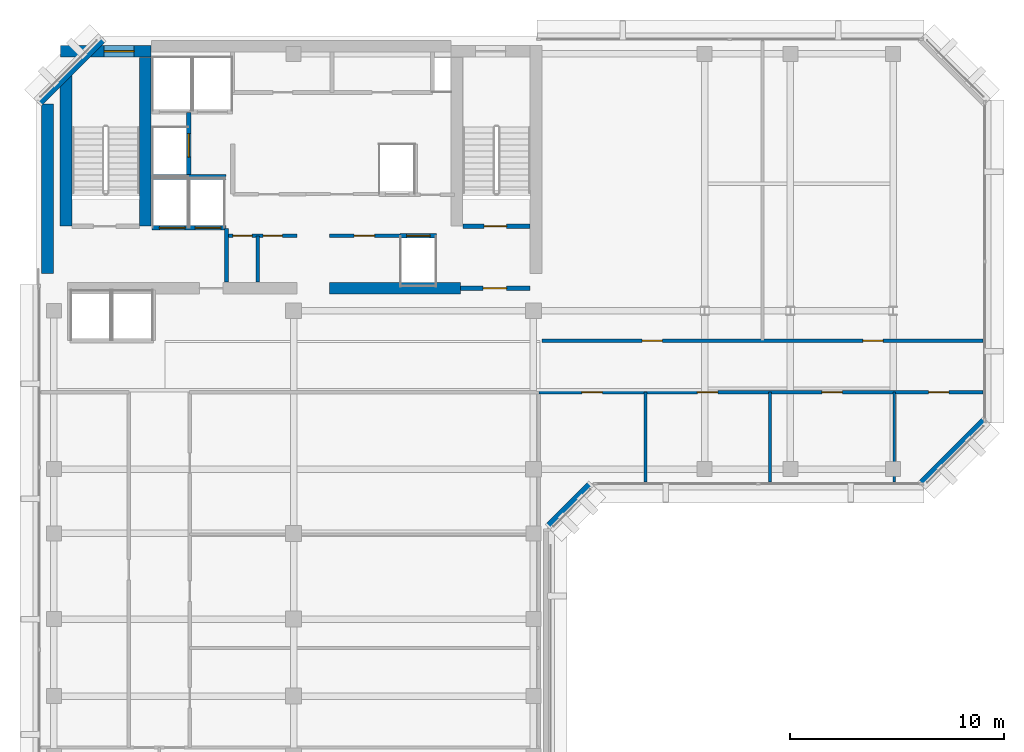
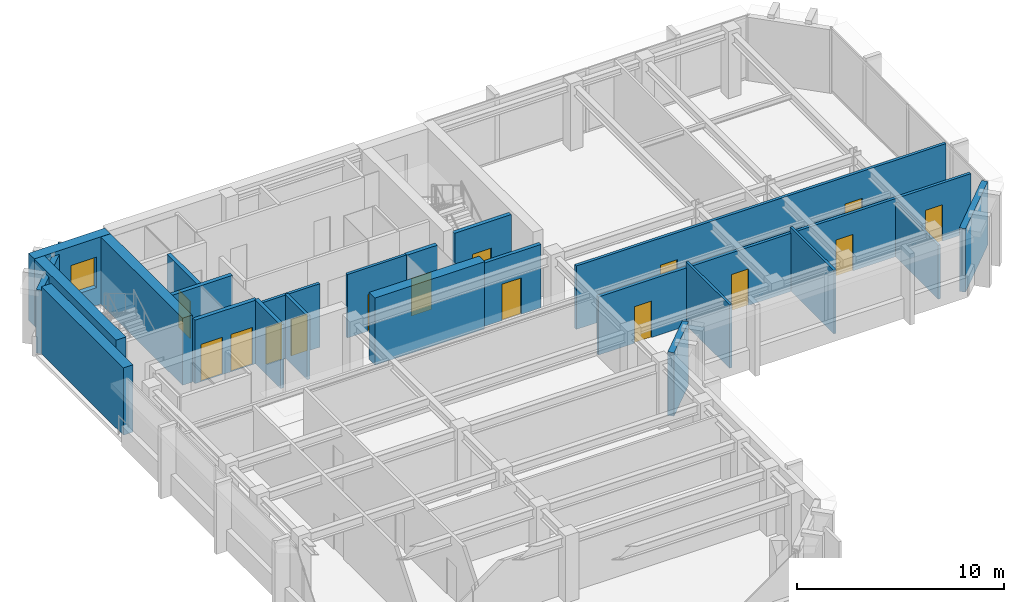
# One storey, part 7 of 11: 23 walls, 15 doors, 1 window, 16 openings.
"""IFC4 building model written with IfcOpenShell, lengths in metres."""

from ifc_helpers import new_model, si_unit, direction, frame, frame_2d, origin, place, context, subcontext, project, spatial, rectangle, extrude, material, layer, layer_set, type_object, element, fill, save


model = new_model("IFC4")

# Units and contexts
model_context = context("Model", 3, precision=1e-05, world=origin(), true_north=direction((0.0, 1.0)))
body_context = subcontext(model_context, "Body", "Model", "MODEL_VIEW")
ifc_project = project(units=[si_unit("LENGTHUNIT", "METRE"), si_unit("AREAUNIT", "SQUARE_METRE"), si_unit("VOLUMEUNIT", "CUBIC_METRE"), si_unit("PLANEANGLEUNIT", "RADIAN"), si_unit("MASSUNIT", "GRAM", prefix="KILO")], contexts=[model_context])

# Site, building, storey
site_placement = place(None, origin())
site = spatial("IfcSite", under=ifc_project, at=site_placement, CompositionType="ELEMENT")
building_placement = place(site_placement, origin())
building = spatial("IfcBuilding", under=site, at=building_placement, Name="Kefirva Bronze Tower", CompositionType="ELEMENT")
storey_placement = place(building_placement, frame((0.0, 0.0, 284.1298828125)))
storey = spatial("IfcBuildingStorey", under=building, at=storey_placement, Name="L69", CompositionType="ELEMENT", Elevation=284.1298828125)

# Walls
ifc_material_1 = material(Name="Gypsum acoustic partition")
ifc_layer_1 = layer(ifc_material_1, 0.1298828125, Name="Gypsum acoustic partition")
ifc_layer_set_1 = layer_set([ifc_layer_1], Name="Gypsum acoustic partition")
wall_type_1 = type_object("IfcWallType", Name="Acoustic Office Partition 130mm", PredefinedType="PARTITIONING", material=ifc_layer_set_1)
for number, where, z_axis, x_axis, name in (
    (1, (28.432373046875, 25.18994140625, 0.0), (0.0, 0.0, 1.0), (0.0, 1.0, 0.0), "L69 Partition W-L69-ESD1"),
    (2, (34.2451171875, 25.18994140625, 0.0), (0.0, 0.0, 1.0), (0.0, 1.0, 0.0), "L69 Partition W-L69-ESD2"),
):
    element("IfcWall", number, at=place(storey_placement, frame(where, z_axis=z_axis, x_axis=x_axis)), inside=storey, type_object=wall_type_1, Name=name, PredefinedType="PARTITIONING", context=body_context, shape_type="SweptSolid", body=[
        extrude(rectangle(XDim=4.2099609375, YDim=0.1298828125, at=frame_2d((2.10498046875, 0.0))), origin(), (0.0, 0.0, 1.0), 3.740234375),
    ])
wall_1_placement = place(storey_placement, frame((40.05810546875, 25.18994140625, 0.0), z_axis=(0.0, 0.0, 1.0), x_axis=(0.0, 1.0, 0.0)))
element("IfcWall", 3, at=wall_1_placement, inside=storey, type_object=wall_type_1, Name="L69 Partition W-L69-ESD3", PredefinedType="PARTITIONING", context=body_context, shape_type="SweptSolid", body=[
    extrude(rectangle(XDim=4.2099609375, YDim=0.1298828125, at=frame_2d((2.10498046875, 0.0))), origin(), (0.0, 0.0, 1.0), 3.175048828125),
])

# Wall, opening, door
ifc_layer_2 = layer(ifc_material_1, 0.14990234375, Name="Gypsum acoustic partition")
ifc_layer_set_2 = layer_set([ifc_layer_2], Name="Gypsum acoustic partition")
wall_type_2 = type_object("IfcWallType", Name="Executive Suite Partition 150mm", PredefinedType="PARTITIONING", material=ifc_layer_set_2)
wall_2_placement = place(storey_placement, frame((13.679931640625, 36.699951171875, 0.0), z_axis=(0.0, 0.0, 1.0), x_axis=(1.0, 0.0, 0.0)))
wall_2 = element("IfcWall", 4, at=wall_2_placement, inside=storey, type_object=wall_type_2, Name="L69 Partition W-L69-RECMP1", PredefinedType="PARTITIONING", context=body_context, shape_type="SweptSolid", body=[
    extrude(rectangle(XDim=3.280029296875, YDim=0.14990234375, at=frame_2d((1.64013671875, 0.0))), origin(), (0.0, 0.0, 1.0), 3.740234375),
])
opening_1_placement = place(wall_2_placement, frame((1.14990234375, 0.0, 0.0)))
opening_1 = element("IfcOpeningElement", 5, at=opening_1_placement, cuts=wall_2, Name="Opening L69-D-RECMP1", PredefinedType="OPENING", context=body_context, shape_type="SweptSolid", body=[
    extrude(rectangle(XDim=0.949951171875, YDim=2.14990234375, at=frame_2d((0.47509765625, 1.074951171875))), frame((0.0, 0.0849609375, 0.0), z_axis=(0.0, -1.0, 0.0), x_axis=(1.0, 0.0, 0.0)), (0.0, 0.0, 1.0), 0.169921875),
])
ifc_material_2 = material(Name="Acoustic hardwood oak", Category="wood")
door_type_1 = type_object("IfcDoorType", Name="Office & Meeting Room Door 950x2150", OperationType="NOTDEFINED", PredefinedType="DOOR", material=ifc_material_2)
door_1_placement = place(opening_1_placement, origin())
door_1 = element("IfcDoor", 6, at=door_1_placement, inside=storey, type_object=door_type_1, Name="Door L69-D-RECMP1", OperationType="SINGLE_SWING_LEFT", OverallHeight=2.14990234375, OverallWidth=0.949951171875, PredefinedType="DOOR", context=body_context, shape_type="SweptSolid", body=[
    extrude(rectangle(XDim=0.949951171875, YDim=2.14990234375, at=frame_2d((0.47509765625, 1.074951171875))), frame((0.0, 0.02490234375, 0.0), z_axis=(0.0, -1.0, 0.0), x_axis=(1.0, 0.0, 0.0)), (0.0, 0.0, 1.0), 0.050048828125),
])
fill(opening_1, door_1)

ifc_material_3 = material(Name="Gypsum fireboard shaftwall")
ifc_layer_3 = layer(ifc_material_3, 0.219970703125, Name="Gypsum fireboard shaftwall")
ifc_layer_set_3 = layer_set([ifc_layer_3], Name="Gypsum fireboard shaftwall")
wall_type_3 = type_object("IfcWallType", Name="Fire-Rated Shaft Enclosure Wall 220mm", PredefinedType="PARTITIONING", material=ifc_layer_set_3)
wall_3_placement = place(storey_placement, frame((19.89990234375, 37.14990234375, 0.0), z_axis=(0.0, 0.0, 1.0), x_axis=(1.0, 0.0, 0.0)))
wall_3 = element("IfcWall", 7, at=wall_3_placement, inside=storey, type_object=wall_type_3, Name="L69 Partition W-L69-ST2S", PredefinedType="PARTITIONING", context=body_context, shape_type="SweptSolid", body=[
    extrude(rectangle(XDim=3.150146484375, YDim=0.219970703125, at=frame_2d((1.5751953125, 0.0))), origin(), (0.0, 0.0, 1.0), 3.740234375),
])
opening_2_placement = place(wall_3_placement, frame((2.050048828125, 0.0, 0.0), z_axis=(0.0, 0.0, 1.0), x_axis=(-1.0, 0.0, 0.0)))
opening_2 = element("IfcOpeningElement", 8, at=opening_2_placement, cuts=wall_3, Name="Opening L69-D003", PredefinedType="OPENING", context=body_context, shape_type="SweptSolid", body=[
    extrude(rectangle(XDim=1.050048828125, YDim=2.14990234375, at=frame_2d((0.52490234375, 1.074951171875))), frame((0.0, 0.1201171875, 0.0), z_axis=(0.0, -1.0, 0.0), x_axis=(1.0, 0.0, 0.0)), (0.0, 0.0, 1.0), 0.239990234375),
])
ifc_material_4 = material(Name="Painted galvanized steel", Category="steel")
door_type_2 = type_object("IfcDoorType", Name="Fire Stair Enclosure Door 1050x2150 FD90S", OperationType="NOTDEFINED", PredefinedType="DOOR", material=ifc_material_4)
door_2_placement = place(opening_2_placement, origin())
door_2 = element("IfcDoor", 9, at=door_2_placement, inside=storey, type_object=door_type_2, Name="Door L69-D003", OperationType="SINGLE_SWING_LEFT", OverallHeight=2.14990234375, OverallWidth=1.050048828125, PredefinedType="DOOR", context=body_context, shape_type="SweptSolid", body=[
    extrude(rectangle(XDim=1.050048828125, YDim=2.14990234375, at=frame_2d((0.52490234375, 1.074951171875))), frame((0.0, 0.02490234375, 0.0), z_axis=(0.0, -1.0, 0.0), x_axis=(1.0, 0.0, 0.0)), (0.0, 0.0, 1.0), 0.050048828125),
])
fill(opening_2, door_2)

# Wall, openings, doors
wall_4_placement = place(storey_placement, frame((5.3798828125, 37.080078125, 0.0), z_axis=(0.0, 0.0, 1.0), x_axis=(1.0, 0.0, 0.0)))
wall_4 = element("IfcWall", 10, at=wall_4_placement, inside=storey, type_object=wall_type_3, Name="L69 Partition W-L69-FFS", PredefinedType="PARTITIONING", context=body_context, shape_type="SweptSolid", body=[
    extrude(rectangle(XDim=3.460205078125, YDim=0.219970703125, at=frame_2d((1.72998046875, 0.0))), origin(), (0.0, 0.0, 1.0), 3.740234375),
])
opening_3_placement = place(wall_4_placement, frame((1.550048828125, 0.0, 0.0), z_axis=(0.0, 0.0, 1.0), x_axis=(-1.0, 0.0, 0.0)))
opening_3 = element("IfcOpeningElement", 11, at=opening_3_placement, cuts=wall_4, Name="Opening L69-LD-FF1", PredefinedType="OPENING", context=body_context, shape_type="SweptSolid", body=[
    extrude(rectangle(XDim=1.199951171875, YDim=2.199951171875, at=frame_2d((0.60009765625, 1.10009765625))), frame((0.0, 0.1201171875, 0.0), z_axis=(0.0, -1.0, 0.0), x_axis=(1.0, 0.0, 0.0)), (0.0, 0.0, 1.0), 0.239990234375),
])
opening_4_placement = place(wall_4_placement, frame((3.219970703125, 0.0, 0.0), z_axis=(0.0, 0.0, 1.0), x_axis=(-1.0, 0.0, 0.0)))
opening_4 = element("IfcOpeningElement", 12, at=opening_4_placement, cuts=wall_4, Name="Opening L69-LD-FF2", PredefinedType="OPENING", context=body_context, shape_type="SweptSolid", body=[
    extrude(rectangle(XDim=1.199951171875, YDim=2.199951171875, at=frame_2d((0.60009765625, 1.10009765625))), frame((0.0, 0.1201171875, 0.0), z_axis=(0.0, -1.0, 0.0), x_axis=(1.0, 0.0, 0.0)), (0.0, 0.0, 1.0), 0.239990234375),
])
ifc_material_5 = material(Name="Stainless steel 316", Category="steel")
door_type_3 = type_object("IfcDoorType", Name="Firefighting Lift Sliding Door 1200x2200", OperationType="SLIDING_TO_RIGHT", PredefinedType="DOOR", material=ifc_material_5)
door_3_placement = place(opening_3_placement, origin())
door_3 = element("IfcDoor", 13, at=door_3_placement, inside=storey, type_object=door_type_3, Name="Door L69-LD-FF1", OperationType="SLIDING_TO_RIGHT", OverallHeight=2.199951171875, OverallWidth=1.199951171875, PredefinedType="DOOR", context=body_context, shape_type="SweptSolid", body=[
    extrude(rectangle(XDim=1.199951171875, YDim=2.199951171875, at=frame_2d((0.60009765625, 1.10009765625))), frame((0.0, 0.02490234375, 0.0), z_axis=(0.0, -1.0, 0.0), x_axis=(1.0, 0.0, 0.0)), (0.0, 0.0, 1.0), 0.050048828125),
])
fill(opening_3, door_3)
door_4_placement = place(opening_4_placement, origin())
door_4 = element("IfcDoor", 14, at=door_4_placement, inside=storey, type_object=door_type_3, Name="Door L69-LD-FF2", OperationType="SLIDING_TO_RIGHT", OverallHeight=2.199951171875, OverallWidth=1.199951171875, PredefinedType="DOOR", context=body_context, shape_type="SweptSolid", body=[
    extrude(rectangle(XDim=1.199951171875, YDim=2.199951171875, at=frame_2d((0.60009765625, 1.10009765625))), frame((0.0, 0.02490234375, 0.0), z_axis=(0.0, -1.0, 0.0), x_axis=(1.0, 0.0, 0.0)), (0.0, 0.0, 1.0), 0.050048828125),
])
fill(opening_4, door_4)

# Wall
wall_5_placement = place(storey_placement, frame((5.3798828125, 39.449951171875, 0.0), z_axis=(0.0, 0.0, 1.0), x_axis=(1.0, 0.0, 0.0)))
element("IfcWall", 15, at=wall_5_placement, inside=storey, type_object=wall_type_3, Name="L69 Partition W-L69-FFN", PredefinedType="PARTITIONING", context=body_context, shape_type="SweptSolid", body=[
    extrude(rectangle(XDim=3.460205078125, YDim=0.219970703125, at=frame_2d((1.72998046875, 0.0))), origin(), (0.0, 0.0, 1.0), 3.740234375),
])

# Wall, opening, door
wall_6_placement = place(storey_placement, frame((7.10009765625, 39.52001953125, 0.0), z_axis=(0.0, 0.0, 1.0), x_axis=(0.0, 1.0, 0.0)))
wall_6 = element("IfcWall", 16, at=wall_6_placement, inside=storey, type_object=wall_type_3, Name="L69 Partition W-L69-HP3E", PredefinedType="PARTITIONING", context=body_context, shape_type="SweptSolid", body=[
    extrude(rectangle(XDim=2.929931640625, YDim=0.219970703125, at=frame_2d((1.46484375, 0.0))), origin(), (0.0, 0.0, 1.0), 3.740234375),
])
opening_5_placement = place(wall_6_placement, frame((0.85009765625, 0.0, 0.0)))
opening_5 = element("IfcOpeningElement", 17, at=opening_5_placement, cuts=wall_6, Name="Opening L69-LD-HP3", PredefinedType="OPENING", context=body_context, shape_type="SweptSolid", body=[
    extrude(rectangle(XDim=1.10009765625, YDim=2.199951171875, at=frame_2d((0.550048828125, 1.10009765625))), frame((0.0, 0.1201171875, 0.0), z_axis=(0.0, -1.0, 0.0), x_axis=(1.0, 0.0, 0.0)), (0.0, 0.0, 1.0), 0.239990234375),
])
door_type_4 = type_object("IfcDoorType", Name="Passenger Lift Sliding Landing Door 1100x2200", OperationType="SLIDING_TO_LEFT", PredefinedType="DOOR", material=ifc_material_5)
door_5_placement = place(opening_5_placement, origin())
door_5 = element("IfcDoor", 18, at=door_5_placement, inside=storey, type_object=door_type_4, Name="Door L69-LD-HP3", OperationType="SLIDING_TO_LEFT", OverallHeight=2.199951171875, OverallWidth=1.10009765625, PredefinedType="DOOR", context=body_context, shape_type="SweptSolid", body=[
    extrude(rectangle(XDim=1.10009765625, YDim=2.199951171875, at=frame_2d((0.550048828125, 1.10009765625))), frame((0.0, 0.02490234375, 0.0), z_axis=(0.0, -1.0, 0.0), x_axis=(1.0, 0.0, 0.0)), (0.0, 0.0, 1.0), 0.050048828125),
])
fill(opening_5, door_5)

wall_7_placement = place(storey_placement, frame((16.97998046875, 36.699951171875, 0.0), z_axis=(0.0, 0.0, 1.0), x_axis=(1.0, 0.0, 0.0)))
wall_7 = element("IfcWall", 19, at=wall_7_placement, inside=storey, type_object=wall_type_3, Name="L69 Partition W-L69-HPS", PredefinedType="PARTITIONING", context=body_context, shape_type="SweptSolid", body=[
    extrude(rectangle(XDim=1.699951171875, YDim=0.219970703125, at=frame_2d((0.85009765625, 0.0))), origin(), (0.0, 0.0, 1.0), 3.740234375),
])
opening_6_placement = place(wall_7_placement, frame((0.300048828125, 0.0, 0.0)))
opening_6 = element("IfcOpeningElement", 20, at=opening_6_placement, cuts=wall_7, Name="Opening L69-LD-HP1", PredefinedType="OPENING", context=body_context, shape_type="SweptSolid", body=[
    extrude(rectangle(XDim=1.10009765625, YDim=2.199951171875, at=frame_2d((0.550048828125, 1.10009765625))), frame((0.0, 0.1201171875, 0.0), z_axis=(0.0, -1.0, 0.0), x_axis=(1.0, 0.0, 0.0)), (0.0, 0.0, 1.0), 0.239990234375),
])
door_6_placement = place(opening_6_placement, origin())
door_6 = element("IfcDoor", 21, at=door_6_placement, inside=storey, type_object=door_type_4, Name="Door L69-LD-HP1", OperationType="SLIDING_TO_LEFT", OverallHeight=2.199951171875, OverallWidth=1.10009765625, PredefinedType="DOOR", context=body_context, shape_type="SweptSolid", body=[
    extrude(rectangle(XDim=1.10009765625, YDim=2.199951171875, at=frame_2d((0.550048828125, 1.10009765625))), frame((0.0, 0.02490234375, 0.0), z_axis=(0.0, -1.0, 0.0), x_axis=(1.0, 0.0, 0.0)), (0.0, 0.0, 1.0), 0.050048828125),
])
fill(opening_6, door_6)

# Wall
ifc_material_6 = material(Name="Gypsum fireboard barrier")
ifc_layer_4 = layer(ifc_material_6, 0.199951171875, Name="Gypsum fireboard barrier")
ifc_layer_set_4 = layer_set([ifc_layer_4], Name="Gypsum fireboard barrier")
wall_type_4 = type_object("IfcWallType", Name="Firefighting Lobby Barrier Wall 200mm", PredefinedType="PARTITIONING", material=ifc_layer_set_4)
wall_8_placement = place(storey_placement, frame((8.860107421875, 34.550048828125, 0.0), z_axis=(0.0, 0.0, 1.0), x_axis=(0.0, 1.0, 0.0)))
element("IfcWall", 22, at=wall_8_placement, inside=storey, type_object=wall_type_4, Name="L69 Partition W-L69-FFLE", PredefinedType="PARTITIONING", context=body_context, shape_type="SweptSolid", body=[
    extrude(rectangle(XDim=2.5, YDim=0.199951171875, at=frame_2d((1.25, 0.0))), origin(), (0.0, 0.0, 1.0), 3.740234375),
])

# Wall, opening, door
wall_9_placement = place(storey_placement, frame((19.800048828125, 34.25, 0.0), z_axis=(0.0, 0.0, 1.0), x_axis=(1.0, 0.0, 0.0)))
wall_9 = element("IfcWall", 23, at=wall_9_placement, inside=storey, type_object=wall_type_4, Name="L69 Partition W-L69-ST2F", PredefinedType="PARTITIONING", context=body_context, shape_type="SweptSolid", body=[
    extrude(rectangle(XDim=3.25, YDim=0.199951171875, at=frame_2d((1.625, 0.0))), origin(), (0.0, 0.0, 1.0), 3.740234375),
])
opening_7_placement = place(wall_9_placement, frame((2.150146484375, 0.0, 0.0), z_axis=(0.0, 0.0, 1.0), x_axis=(-1.0, 0.0, 0.0)))
opening_7 = element("IfcOpeningElement", 24, at=opening_7_placement, cuts=wall_9, Name="Opening L69-D004", PredefinedType="OPENING", context=body_context, shape_type="SweptSolid", body=[
    extrude(rectangle(XDim=1.10009765625, YDim=2.14990234375, at=frame_2d((0.550048828125, 1.074951171875))), frame((0.0, 0.10986328125, 0.0), z_axis=(0.0, -1.0, 0.0), x_axis=(1.0, 0.0, 0.0)), (0.0, 0.0, 1.0), 0.219970703125),
])
door_type_5 = type_object("IfcDoorType", Name="Firefighting Lobby Smoke Door 1100x2150 FD60S", OperationType="NOTDEFINED", PredefinedType="DOOR", material=ifc_material_4)
door_7_placement = place(opening_7_placement, origin())
door_7 = element("IfcDoor", 25, at=door_7_placement, inside=storey, type_object=door_type_5, Name="Door L69-D004", OperationType="SINGLE_SWING_RIGHT", OverallHeight=2.14990234375, OverallWidth=1.10009765625, PredefinedType="DOOR", context=body_context, shape_type="SweptSolid", body=[
    extrude(rectangle(XDim=1.10009765625, YDim=2.14990234375, at=frame_2d((0.550048828125, 1.074951171875))), frame((0.0, 0.02490234375, 0.0), z_axis=(0.0, -1.0, 0.0), x_axis=(1.0, 0.0, 0.0)), (0.0, 0.0, 1.0), 0.050048828125),
])
fill(opening_7, door_7)

# Walls
ifc_material_7 = material(Name="Precast concrete C40/50", Category="concrete")
ifc_layer_5 = layer(ifc_material_7, 0.320068359375, Name="Precast concrete C40/50")
ifc_layer_set_5 = layer_set([ifc_layer_5], Name="Precast concrete C40/50")
wall_type_5 = type_object("IfcWallType", Name="Precast Insulated Exterior Wall 320mm", PredefinedType="SOLIDWALL", material=ifc_layer_set_5)
wall_10_placement = place(storey_placement, frame((23.92578125, 23.152099609375, 0.0), z_axis=(0.0, 0.0, 1.0), x_axis=(0.707106781187, 0.707106781187, 0.0)))
element("IfcWall", 26, at=wall_10_placement, inside=storey, type_object=wall_type_5, Name="L69 Exterior Facade Wall 3", PredefinedType="SOLIDWALL", context=body_context, shape_type="SweptSolid", body=[
    extrude(rectangle(XDim=2.71826171875, YDim=0.320068359375, at=frame_2d((1.359130859375, 0.0))), origin(), (0.0, 0.0, 1.0), 3.740234375),
])
for number, where, z_axis, x_axis, name in (
    (27, (41.32568359375, 25.152099609375, 0.0), (0.0, 0.0, 1.0), (0.707136318428, 0.707077242712, 0.0), "L69 Exterior Facade Wall 4"),
    (28, (3.07421875, 45.847900390625, 0.0), (0.0, 0.0, 1.0), (-0.707106781187, -0.707106781187, 0.0), "L69 Exterior Facade Wall 6"),
):
    element("IfcWall", number, at=place(storey_placement, frame(where, z_axis=z_axis, x_axis=x_axis)), inside=storey, type_object=wall_type_5, Name=name, PredefinedType="SOLIDWALL", context=body_context, shape_type="SweptSolid", body=[
        extrude(rectangle(XDim=4.132568359375, YDim=0.320068359375, at=frame_2d((2.06640625, 0.0))), origin(), (0.0, 0.0, 1.0), 3.740234375),
    ])

# Wall, openings, doors
ifc_layer_6 = layer(ifc_material_1, 0.159912109375, Name="Gypsum acoustic partition")
ifc_layer_set_6 = layer_set([ifc_layer_6], Name="Gypsum acoustic partition")
wall_type_6 = type_object("IfcWallType", Name="Protected Corridor Partition 160mm", PredefinedType="PARTITIONING", material=ifc_layer_set_6)
wall_11_placement = place(storey_placement, frame((8.89990234375, 36.699951171875, 0.0), z_axis=(0.0, 0.0, 1.0), x_axis=(1.0, 0.0, 0.0)))
wall_11 = element("IfcWall", 29, at=wall_11_placement, inside=storey, type_object=wall_type_6, Name="L69 Partition W-L69-RECLP1", PredefinedType="PARTITIONING", context=body_context, shape_type="SweptSolid", body=[
    extrude(rectangle(XDim=3.25, YDim=0.159912109375, at=frame_2d((1.625, 0.0))), origin(), (0.0, 0.0, 1.0), 3.740234375),
])
opening_8_placement = place(wall_11_placement, frame((0.260009765625, 0.0, 0.0)))
opening_8 = element("IfcOpeningElement", 30, at=opening_8_placement, cuts=wall_11, Name="Opening L69-D-RECLP1A", PredefinedType="OPENING", context=body_context, shape_type="SweptSolid", body=[
    extrude(rectangle(XDim=0.89990234375, YDim=2.14990234375, at=frame_2d((0.449951171875, 1.074951171875))), frame((0.0, 0.08984375, 0.0), z_axis=(0.0, -1.0, 0.0), x_axis=(1.0, 0.0, 0.0)), (0.0, 0.0, 1.0), 0.179931640625),
])
opening_9_placement = place(wall_11_placement, frame((1.679931640625, 0.0, 0.0)))
opening_9 = element("IfcOpeningElement", 31, at=opening_9_placement, cuts=wall_11, Name="Opening L69-D-RECLP1B", PredefinedType="OPENING", context=body_context, shape_type="SweptSolid", body=[
    extrude(rectangle(XDim=0.89990234375, YDim=2.14990234375, at=frame_2d((0.449951171875, 1.074951171875))), frame((0.0, 0.08984375, 0.0), z_axis=(0.0, -1.0, 0.0), x_axis=(1.0, 0.0, 0.0)), (0.0, 0.0, 1.0), 0.179931640625),
])
door_type_6 = type_object("IfcDoorType", Name="Core Archive & Server Fire Door 900x2150 FD60S", OperationType="NOTDEFINED", PredefinedType="DOOR", material=ifc_material_4)
door_8_placement = place(opening_8_placement, origin())
door_8 = element("IfcDoor", 32, at=door_8_placement, inside=storey, type_object=door_type_6, Name="Door L69-D-RECLP1A", OperationType="SINGLE_SWING_RIGHT", OverallHeight=2.14990234375, OverallWidth=0.89990234375, PredefinedType="DOOR", context=body_context, shape_type="SweptSolid", body=[
    extrude(rectangle(XDim=0.89990234375, YDim=2.14990234375, at=frame_2d((0.449951171875, 1.074951171875))), frame((0.0, 0.02490234375, 0.0), z_axis=(0.0, -1.0, 0.0), x_axis=(1.0, 0.0, 0.0)), (0.0, 0.0, 1.0), 0.050048828125),
])
fill(opening_8, door_8)
door_9_placement = place(opening_9_placement, origin())
door_9 = element("IfcDoor", 33, at=door_9_placement, inside=storey, type_object=door_type_6, Name="Door L69-D-RECLP1B", OperationType="SINGLE_SWING_LEFT", OverallHeight=2.14990234375, OverallWidth=0.89990234375, PredefinedType="DOOR", context=body_context, shape_type="SweptSolid", body=[
    extrude(rectangle(XDim=0.89990234375, YDim=2.14990234375, at=frame_2d((0.449951171875, 1.074951171875))), frame((0.0, 0.02490234375, 0.0), z_axis=(0.0, -1.0, 0.0), x_axis=(1.0, 0.0, 0.0)), (0.0, 0.0, 1.0), 0.050048828125),
])
fill(opening_9, door_9)

# Wall
wall_12_placement = place(storey_placement, frame((10.320068359375, 34.550048828125, 0.0), z_axis=(0.0, 0.0, 1.0), x_axis=(0.0, 1.0, 0.0)))
element("IfcWall", 34, at=wall_12_placement, inside=storey, type_object=wall_type_6, Name="L69 Partition W-L69-RECLP1D", PredefinedType="PARTITIONING", context=body_context, shape_type="SweptSolid", body=[
    extrude(rectangle(XDim=2.14990234375, YDim=0.159912109375, at=frame_2d((1.074951171875, 0.0))), origin(), (0.0, 0.0, 1.0), 3.740234375),
])

# Wall, openings, doors
wall_13_placement = place(storey_placement, frame((23.449951171875, 29.39990234375, 0.0), z_axis=(0.0, 0.0, 1.0), x_axis=(1.0, 0.0, 0.0)))
wall_13 = element("IfcWall", 35, at=wall_13_placement, inside=storey, type_object=wall_type_6, Name="L69 Partition W-L69-EWS", PredefinedType="PARTITIONING", context=body_context, shape_type="SweptSolid", body=[
    extrude(rectangle(XDim=20.760009765625, YDim=0.159912109375, at=frame_2d((10.3798828125, 0.0))), origin(), (0.0, 0.0, 1.0), 3.425048828125),
])
opening_10_placement = place(wall_13_placement, frame((2.966064453125, 0.0, 0.0), z_axis=(0.0, 0.0, 1.0), x_axis=(-1.0, 0.0, 0.0)))
opening_10 = element("IfcOpeningElement", 36, at=opening_10_placement, cuts=wall_13, Name="Opening L69-D-ES1", PredefinedType="OPENING", context=body_context, shape_type="SweptSolid", body=[
    extrude(rectangle(XDim=0.949951171875, YDim=2.14990234375, at=frame_2d((0.47509765625, 1.074951171875))), frame((0.0, 0.08984375, 0.0), z_axis=(0.0, -1.0, 0.0), x_axis=(1.0, 0.0, 0.0)), (0.0, 0.0, 1.0), 0.179931640625),
])
opening_11_placement = place(wall_13_placement, frame((8.36376953125, 0.0, 0.0), z_axis=(0.0, 0.0, 1.0), x_axis=(-1.0, 0.0, 0.0)))
opening_11 = element("IfcOpeningElement", 37, at=opening_11_placement, cuts=wall_13, Name="Opening L69-D-ES2", PredefinedType="OPENING", context=body_context, shape_type="SweptSolid", body=[
    extrude(rectangle(XDim=0.949951171875, YDim=2.14990234375, at=frame_2d((0.47509765625, 1.074951171875))), frame((0.0, 0.08984375, 0.0), z_axis=(0.0, -1.0, 0.0), x_axis=(1.0, 0.0, 0.0)), (0.0, 0.0, 1.0), 0.179931640625),
])
opening_12_placement = place(wall_13_placement, frame((14.176513671875, 0.0, 0.0), z_axis=(0.0, 0.0, 1.0), x_axis=(-1.0, 0.0, 0.0)))
opening_12 = element("IfcOpeningElement", 38, at=opening_12_placement, cuts=wall_13, Name="Opening L69-D-ES3", PredefinedType="OPENING", context=body_context, shape_type="SweptSolid", body=[
    extrude(rectangle(XDim=0.949951171875, YDim=2.14990234375, at=frame_2d((0.47509765625, 1.074951171875))), frame((0.0, 0.08984375, 0.0), z_axis=(0.0, -1.0, 0.0), x_axis=(1.0, 0.0, 0.0)), (0.0, 0.0, 1.0), 0.179931640625),
])
opening_13_placement = place(wall_13_placement, frame((19.158935546875, 0.0, 0.0), z_axis=(0.0, 0.0, 1.0), x_axis=(-1.0, 0.0, 0.0)))
opening_13 = element("IfcOpeningElement", 39, at=opening_13_placement, cuts=wall_13, Name="Opening L69-D-ES4", PredefinedType="OPENING", context=body_context, shape_type="SweptSolid", body=[
    extrude(rectangle(XDim=0.949951171875, YDim=2.14990234375, at=frame_2d((0.47509765625, 1.074951171875))), frame((0.0, 0.08984375, 0.0), z_axis=(0.0, -1.0, 0.0), x_axis=(1.0, 0.0, 0.0)), (0.0, 0.0, 1.0), 0.179931640625),
])
door_10_placement = place(opening_10_placement, origin())
door_10 = element("IfcDoor", 40, at=door_10_placement, inside=storey, type_object=door_type_1, Name="Door L69-D-ES1", OperationType="SINGLE_SWING_LEFT", OverallHeight=2.14990234375, OverallWidth=0.949951171875, PredefinedType="DOOR", context=body_context, shape_type="SweptSolid", body=[
    extrude(rectangle(XDim=0.949951171875, YDim=2.14990234375, at=frame_2d((0.47509765625, 1.074951171875))), frame((0.0, 0.02490234375, 0.0), z_axis=(0.0, -1.0, 0.0), x_axis=(1.0, 0.0, 0.0)), (0.0, 0.0, 1.0), 0.050048828125),
])
fill(opening_10, door_10)
door_11_placement = place(opening_11_placement, origin())
door_11 = element("IfcDoor", 41, at=door_11_placement, inside=storey, type_object=door_type_1, Name="Door L69-D-ES2", OperationType="SINGLE_SWING_RIGHT", OverallHeight=2.14990234375, OverallWidth=0.949951171875, PredefinedType="DOOR", context=body_context, shape_type="SweptSolid", body=[
    extrude(rectangle(XDim=0.949951171875, YDim=2.14990234375, at=frame_2d((0.47509765625, 1.074951171875))), frame((0.0, 0.02490234375, 0.0), z_axis=(0.0, -1.0, 0.0), x_axis=(1.0, 0.0, 0.0)), (0.0, 0.0, 1.0), 0.050048828125),
])
fill(opening_11, door_11)
door_12_placement = place(opening_12_placement, origin())
door_12 = element("IfcDoor", 42, at=door_12_placement, inside=storey, type_object=door_type_1, Name="Door L69-D-ES3", OperationType="SINGLE_SWING_LEFT", OverallHeight=2.14990234375, OverallWidth=0.949951171875, PredefinedType="DOOR", context=body_context, shape_type="SweptSolid", body=[
    extrude(rectangle(XDim=0.949951171875, YDim=2.14990234375, at=frame_2d((0.47509765625, 1.074951171875))), frame((0.0, 0.02490234375, 0.0), z_axis=(0.0, -1.0, 0.0), x_axis=(1.0, 0.0, 0.0)), (0.0, 0.0, 1.0), 0.050048828125),
])
fill(opening_12, door_12)
door_13_placement = place(opening_13_placement, origin())
door_13 = element("IfcDoor", 43, at=door_13_placement, inside=storey, type_object=door_type_1, Name="Door L69-D-ES4", OperationType="SINGLE_SWING_RIGHT", OverallHeight=2.14990234375, OverallWidth=0.949951171875, PredefinedType="DOOR", context=body_context, shape_type="SweptSolid", body=[
    extrude(rectangle(XDim=0.949951171875, YDim=2.14990234375, at=frame_2d((0.47509765625, 1.074951171875))), frame((0.0, 0.02490234375, 0.0), z_axis=(0.0, -1.0, 0.0), x_axis=(1.0, 0.0, 0.0)), (0.0, 0.0, 1.0), 0.050048828125),
])
fill(opening_13, door_13)

wall_14_placement = place(storey_placement, frame((23.60009765625, 31.800048828125, 0.0), z_axis=(0.0, 0.0, 1.0), x_axis=(1.0, 0.0, 0.0)))
wall_14 = element("IfcWall", 44, at=wall_14_placement, inside=storey, type_object=wall_type_6, Name="L69 Partition W-L69-EWN", PredefinedType="PARTITIONING", context=body_context, shape_type="SweptSolid", body=[
    extrude(rectangle(XDim=20.60986328125, YDim=0.159912109375, at=frame_2d((10.304931640625, 0.0))), origin(), (0.0, 0.0, 1.0), 3.740234375),
])
opening_14_placement = place(wall_14_placement, frame((4.677490234375, 0.0, 0.0)))
opening_14 = element("IfcOpeningElement", 45, at=opening_14_placement, cuts=wall_14, Name="Opening L69-D-EN1", PredefinedType="OPENING", context=body_context, shape_type="SweptSolid", body=[
    extrude(rectangle(XDim=0.949951171875, YDim=2.14990234375, at=frame_2d((0.47509765625, 1.074951171875))), frame((0.0, 0.08984375, 0.0), z_axis=(0.0, -1.0, 0.0), x_axis=(1.0, 0.0, 0.0)), (0.0, 0.0, 1.0), 0.179931640625),
])
opening_15_placement = place(wall_14_placement, frame((14.982421875, 0.0, 0.0)))
opening_15 = element("IfcOpeningElement", 46, at=opening_15_placement, cuts=wall_14, Name="Opening L69-D-EN2", PredefinedType="OPENING", context=body_context, shape_type="SweptSolid", body=[
    extrude(rectangle(XDim=0.949951171875, YDim=2.14990234375, at=frame_2d((0.47509765625, 1.074951171875))), frame((0.0, 0.08984375, 0.0), z_axis=(0.0, -1.0, 0.0), x_axis=(1.0, 0.0, 0.0)), (0.0, 0.0, 1.0), 0.179931640625),
])
door_14_placement = place(opening_14_placement, origin())
door_14 = element("IfcDoor", 47, at=door_14_placement, inside=storey, type_object=door_type_1, Name="Door L69-D-EN1", OperationType="SINGLE_SWING_LEFT", OverallHeight=2.14990234375, OverallWidth=0.949951171875, PredefinedType="DOOR", context=body_context, shape_type="SweptSolid", body=[
    extrude(rectangle(XDim=0.949951171875, YDim=2.14990234375, at=frame_2d((0.47509765625, 1.074951171875))), frame((0.0, 0.02490234375, 0.0), z_axis=(0.0, -1.0, 0.0), x_axis=(1.0, 0.0, 0.0)), (0.0, 0.0, 1.0), 0.050048828125),
])
fill(opening_14, door_14)
door_15_placement = place(opening_15_placement, origin())
door_15 = element("IfcDoor", 48, at=door_15_placement, inside=storey, type_object=door_type_1, Name="Door L69-D-EN2", OperationType="SINGLE_SWING_RIGHT", OverallHeight=2.14990234375, OverallWidth=0.949951171875, PredefinedType="DOOR", context=body_context, shape_type="SweptSolid", body=[
    extrude(rectangle(XDim=0.949951171875, YDim=2.14990234375, at=frame_2d((0.47509765625, 1.074951171875))), frame((0.0, 0.02490234375, 0.0), z_axis=(0.0, -1.0, 0.0), x_axis=(1.0, 0.0, 0.0)), (0.0, 0.0, 1.0), 0.050048828125),
])
fill(opening_15, door_15)

# Wall
ifc_material_8 = material(Name="Concrete C50/60", Category="concrete")
ifc_layer_7 = layer(ifc_material_8, 0.550048828125, Name="Concrete C50/60")
ifc_layer_set_7 = layer_set([ifc_layer_7], Name="Concrete C50/60")
wall_type_7 = type_object("IfcWallType", Name="RC Rear Core Exterior Wall 550mm", PredefinedType="SHEAR", material=ifc_layer_set_7)
wall_15_placement = place(storey_placement, frame((0.5, 34.949951171875, 0.0), z_axis=(0.0, 0.0, 1.0), x_axis=(0.0, 1.0, 0.0)))
element("IfcWall", 49, at=wall_15_placement, inside=storey, type_object=wall_type_7, Name="L69 Rear Core West Shear Wall", PredefinedType="SHEAR", context=body_context, shape_type="SweptSolid", body=[
    extrude(rectangle(XDim=7.900146484375, YDim=0.550048828125, at=frame_2d((3.9501953125, 0.0))), origin(), (0.0, 0.0, 1.0), 3.960205078125),
])

# Wall, opening, window
wall_16_placement = place(storey_placement, frame((1.10009765625, 45.320068359375, 0.0), z_axis=(0.0, 0.0, 1.0), x_axis=(1.0, 0.0, 0.0)))
wall_16 = element("IfcWall", 50, at=wall_16_placement, inside=storey, type_object=wall_type_7, Name="L69 Stair 1 North Shear Wall", PredefinedType="SHEAR", context=body_context, shape_type="SweptSolid", body=[
    extrude(rectangle(XDim=4.239990234375, YDim=0.550048828125, at=frame_2d((2.1201171875, 0.0))), origin(), (0.0, 0.0, 1.0), 3.960205078125),
])
opening_16_placement = place(wall_16_placement, frame((2.050048828125, 0.0, 1.050048828125)))
opening_16 = element("IfcOpeningElement", 51, at=opening_16_placement, cuts=wall_16, Name="Opening WN-03", PredefinedType="OPENING", context=body_context, shape_type="SweptSolid", body=[
    extrude(rectangle(XDim=1.39990234375, YDim=1.800048828125, at=frame_2d((0.699951171875, 0.89990234375))), frame((0.0, 0.28515625, 0.0), z_axis=(0.0, -1.0, 0.0), x_axis=(1.0, 0.0, 0.0)), (0.0, 0.0, 1.0), 0.570068359375),
])
ifc_material_9 = material(Name="Laminated low-E double glazing", Category="glass")
window_type = type_object("IfcWindowType", Name="Rear-Core Stair Daylight Window 1400x1800", PartitioningType="SINGLE_PANEL", PredefinedType="WINDOW", material=ifc_material_9)
window_placement = place(opening_16_placement, origin())
window = element("IfcWindow", 52, at=window_placement, inside=storey, type_object=window_type, Name="L69 Stair 1 Daylight Window", OverallHeight=1.800048828125, OverallWidth=1.39990234375, PartitioningType="SINGLE_PANEL", PredefinedType="WINDOW", context=body_context, shape_type="SweptSolid", body=[
    extrude(rectangle(XDim=1.39990234375, YDim=1.800048828125, at=frame_2d((0.699951171875, 0.89990234375))), frame((0.0, 0.030029296875, 0.0), z_axis=(0.0, -1.0, 0.0), x_axis=(1.0, 0.0, 0.0)), (0.0, 0.0, 1.0), 0.06005859375),
])
fill(opening_16, window)

# Walls
ifc_layer_8 = layer(ifc_material_8, 0.550048828125, Name="Concrete C50/60")
ifc_layer_set_8 = layer_set([ifc_layer_8], Name="Concrete C50/60")
wall_type_8 = type_object("IfcWallType", Name="RC Rear Core Interior Wall 550mm", PredefinedType="SHEAR", material=ifc_layer_set_8)
wall_17_placement = place(storey_placement, frame((13.679931640625, 34.25, 0.0), z_axis=(0.0, 0.0, 1.0), x_axis=(1.0, 0.0, 0.0)))
element("IfcWall", 53, at=wall_17_placement, inside=storey, type_object=wall_type_8, Name="L69 Rear Core South-East Shear Wall", PredefinedType="SHEAR", context=body_context, shape_type="SweptSolid", body=[
    extrude(rectangle(XDim=6.1201171875, YDim=0.550048828125, at=frame_2d((3.06005859375, 0.0))), origin(), (0.0, 0.0, 1.0), 3.960205078125),
])
for number, where, z_axis, x_axis, name in (
    (54, (1.3701171875, 37.14990234375, 0.0), (0.0, 0.0, 1.0), (0.0, 1.0, 0.0), "L69 Stair 1 West Shear Wall"),
    (55, (5.070068359375, 37.14990234375, 0.0), (0.0, 0.0, 1.0), (0.0, 1.0, 0.0), "L69 Stair 1 East Shear Wall"),
):
    element("IfcWall", number, at=place(storey_placement, frame(where, z_axis=z_axis, x_axis=x_axis)), inside=storey, type_object=wall_type_8, Name=name, PredefinedType="SHEAR", context=body_context, shape_type="SweptSolid", body=[
        extrude(rectangle(XDim=7.89013671875, YDim=0.550048828125, at=frame_2d((3.945068359375, 0.0))), origin(), (0.0, 0.0, 1.0), 3.960205078125),
    ])

save(model, "model.ifc")
